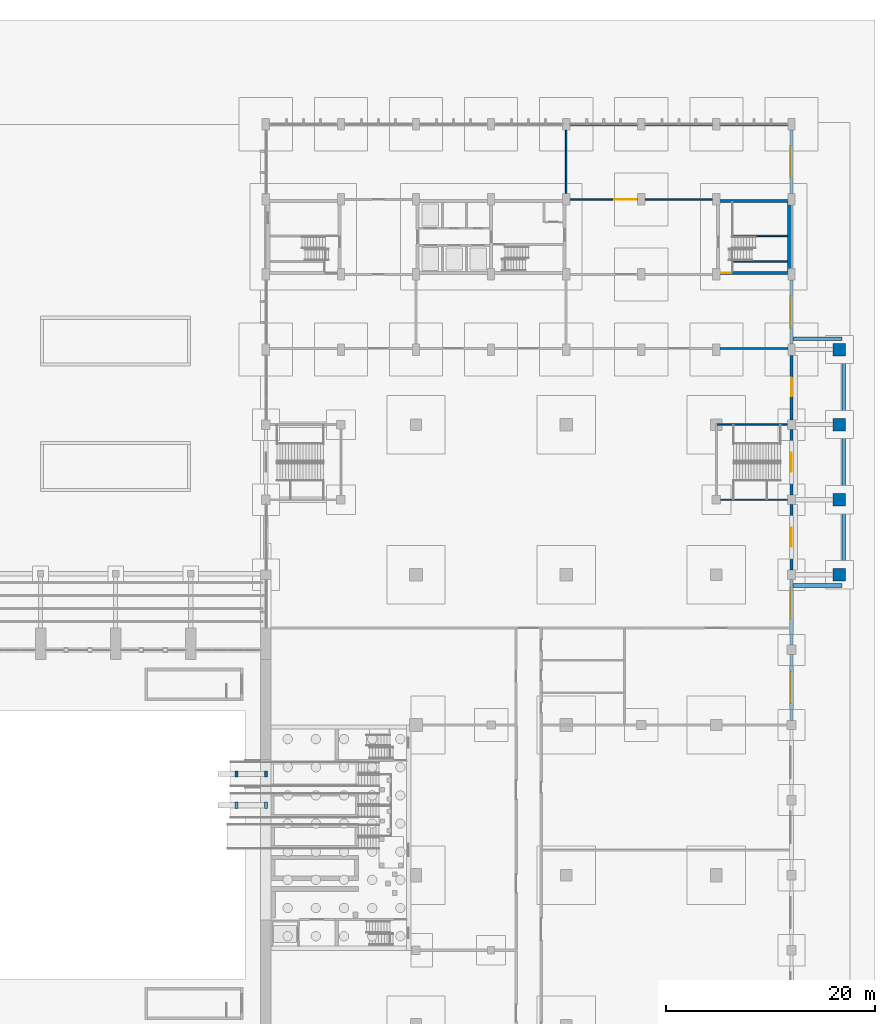
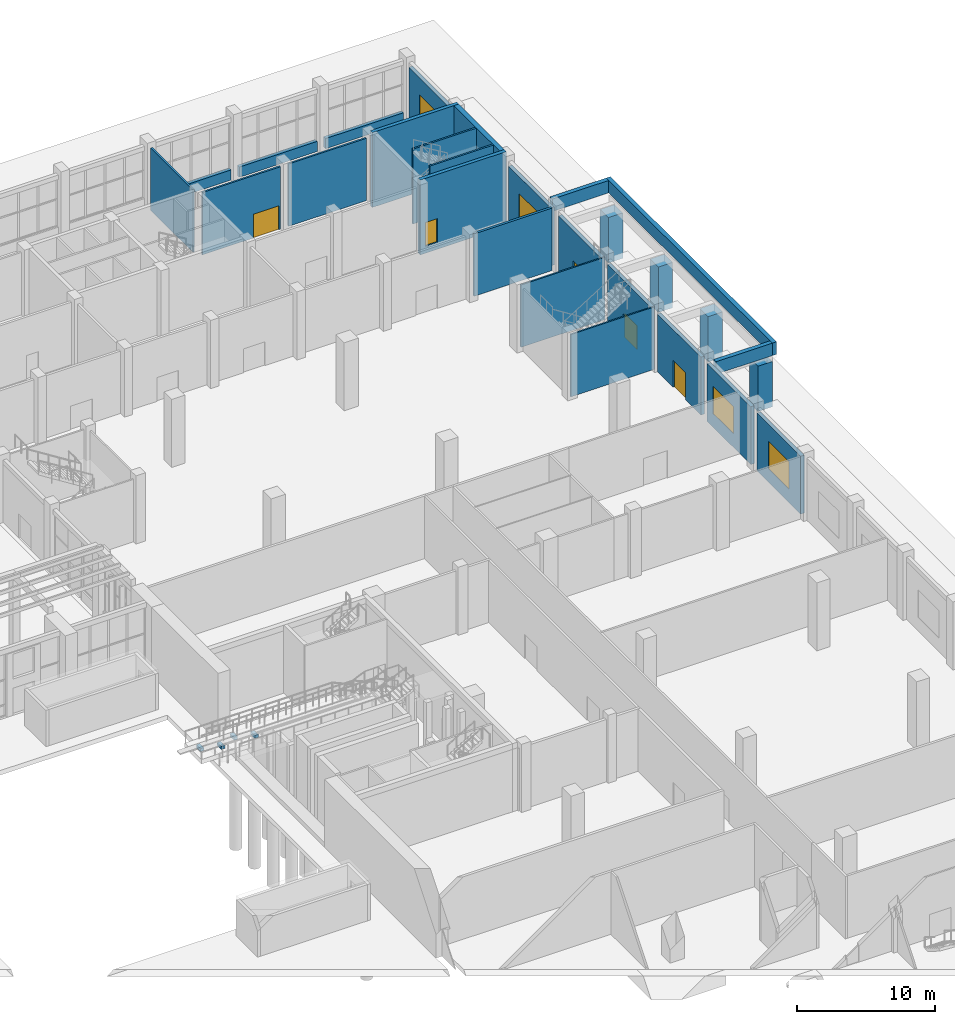
# One storey, part 53 of 70: 32 walls, 5 doors, 4 windows, 9 openings.
"""IFC4 building model written with IfcOpenShell, lengths in metres."""

from ifc_helpers import new_model, si_unit, direction, frame, frame_2d, origin, place, context, subcontext, project, spatial, rectangle, extrude, material, layer, layer_set, type_object, element, fill, save


model = new_model("IFC4")

# Units and contexts
model_context = context("Model", 3, precision=1e-05, world=origin(), true_north=direction((0.0, 1.0)))
body_context = subcontext(model_context, "Body", "Model", "MODEL_VIEW")
ifc_project = project(units=[si_unit("LENGTHUNIT", "METRE"), si_unit("AREAUNIT", "SQUARE_METRE"), si_unit("VOLUMEUNIT", "CUBIC_METRE"), si_unit("PLANEANGLEUNIT", "RADIAN"), si_unit("MASSUNIT", "GRAM", prefix="KILO")], contexts=[model_context])

# Site, building, storey
site_placement = place(None, origin())
site = spatial("IfcSite", under=ifc_project, at=site_placement, CompositionType="ELEMENT")
building_placement = place(site_placement, origin())
building = spatial("IfcBuilding", under=site, at=building_placement, Name="Vermilion Court Aquatics Centre", CompositionType="ELEMENT")
storey_placement = place(building_placement, origin())
storey = spatial("IfcBuildingStorey", under=building, at=storey_placement, Name="L00", CompositionType="ELEMENT", Elevation=0.0)

# Walls
ifc_material_1 = material(Name="Concrete 5000 psi", Category="concrete")
ifc_layer_1 = layer(ifc_material_1, 0.300048828125)
ifc_layer_set_1 = layer_set([ifc_layer_1], Name="Hall springboard stand 300")
wall_type_1 = type_object("IfcWallType", Name="Hall springboard stand 300", PredefinedType="SOLIDWALL", material=ifc_layer_set_1)
for number, where, z_axis, x_axis, name in (
    (1, (141.199951171875, 52.60009765625, 1.0), (0.0, 0.0, 1.0), (0.0, 1.0, 0.0), "Springboard stand"),
    (2, (144.0, 52.60009765625, 1.0), (0.0, 0.0, 1.0), (0.0, 1.0, 0.0), "Springboard stand"),
    (3, (141.199951171875, 49.60009765625, 3.0), (0.0, 0.0, 1.0), (0.0, 1.0, 0.0), "Springboard stand"),
    (4, (144.0, 49.60009765625, 3.0), (0.0, 0.0, 1.0), (0.0, 1.0, 0.0), "Springboard stand"),
):
    element("IfcWall", number, at=place(storey_placement, frame(where, z_axis=z_axis, x_axis=x_axis)), inside=storey, type_object=wall_type_1, Name=name, PredefinedType="SOLIDWALL", context=body_context, shape_type="SweptSolid", body=[
        extrude(rectangle(XDim=0.599853515625, YDim=0.300048828125, at=frame_2d((0.2998046875, 0.0))), origin(), (0.0, 0.0, 1.0), 0.25),
    ])
ifc_material_2 = material(Name="Concrete 8000 psi", Category="concrete")
ifc_layer_2 = layer(ifc_material_2, 0.39990234375)
ifc_layer_set_2 = layer_set([ifc_layer_2], Name="North block core brick-faced shear wall 400")
wall_type_2 = type_object("IfcWallType", Name="North block core brick-faced shear wall 400", PredefinedType="SHEAR", material=ifc_layer_set_2)
wall_1_placement = place(storey_placement, frame((194.199951171875, 101.10009765625, -0.60009765625), z_axis=(0.0, 0.0, 1.0), x_axis=(0.0, 1.0, 0.0)))
element("IfcWall", 5, at=wall_1_placement, inside=storey, type_object=wall_type_2, Name="Stair 2 shear wall outer L00", PredefinedType="SHEAR", context=body_context, shape_type="SweptSolid", body=[
    extrude(rectangle(XDim=6.599853515625, YDim=0.39990234375, at=frame_2d((3.2998046875, 0.0))), origin(), (0.0, 0.0, 1.0), 6.60009765625),
])

# Wall, opening, door
ifc_material_3 = material(Name="Concrete 8000 psi", Category="concrete")
ifc_layer_3 = layer(ifc_material_3, 0.300048828125)
ifc_layer_set_3 = layer_set([ifc_layer_3], Name="North block core shear wall 300")
wall_type_3 = type_object("IfcWallType", Name="North block core shear wall 300", PredefinedType="SHEAR", material=ifc_layer_set_3)
wall_2_placement = place(storey_placement, frame((194.39990234375, 100.949951171875, -0.60009765625), z_axis=(0.0, 0.0, 1.0), x_axis=(-1.0, 0.0, 0.0)))
wall_2 = element("IfcWall", 6, at=wall_2_placement, inside=storey, type_object=wall_type_3, Name="Stair 2 shear wall south L00", PredefinedType="SHEAR", context=body_context, shape_type="SweptSolid", body=[
    extrude(rectangle(XDim=7.199951171875, YDim=0.300048828125, at=frame_2d((3.60009765625, 0.0))), origin(), (0.0, 0.0, 1.0), 6.60009765625),
])
opening_1_placement = place(wall_2_placement, frame((5.75, 0.0, 0.60009765625)))
opening_1 = element("IfcOpeningElement", 7, at=opening_1_placement, cuts=wall_2, Name="Opening U00-011", PredefinedType="OPENING", context=body_context, shape_type="SweptSolid", body=[
    extrude(rectangle(XDim=1.0, YDim=2.10009765625, at=frame_2d((0.5, 1.050048828125))), frame((0.0, 0.159912109375, 0.0), z_axis=(0.0, -1.0, 0.0), x_axis=(1.0, 0.0, 0.0)), (0.0, 0.0, 1.0), 0.320068359375),
])
ifc_material_4 = material(Name="Hollow metal")
door_type_1 = type_object("IfcDoorType", Name="North block exit door FD90 1000x2100", OperationType="NOTDEFINED", PredefinedType="DOOR", material=ifc_material_4)
door_1_placement = place(opening_1_placement, origin())
door_1 = element("IfcDoor", 8, at=door_1_placement, inside=storey, type_object=door_type_1, Name="Stair 2 exit door", OperationType="SINGLE_SWING_RIGHT", OverallHeight=2.10009765625, OverallWidth=1.0, PredefinedType="DOOR", context=body_context, shape_type="SweptSolid", body=[
    extrude(rectangle(XDim=1.0, YDim=2.10009765625, at=frame_2d((0.5, 1.050048828125))), frame((0.0, 0.02490234375, 0.0), z_axis=(0.0, -1.0, 0.0), x_axis=(1.0, 0.0, 0.0)), (0.0, 0.0, 1.0), 0.050048828125),
])
fill(opening_1, door_1)

# Walls
wall_3_placement = place(storey_placement, frame((194.39990234375, 107.85009765625, -0.60009765625), z_axis=(0.0, 0.0, 1.0), x_axis=(-1.0, 0.0, 0.0)))
element("IfcWall", 9, at=wall_3_placement, inside=storey, type_object=wall_type_3, Name="Stair 2 shear wall north L00", PredefinedType="SHEAR", context=body_context, shape_type="SweptSolid", body=[
    extrude(rectangle(XDim=7.199951171875, YDim=0.300048828125, at=frame_2d((3.60009765625, 0.0))), origin(), (0.0, 0.0, 1.0), 6.60009765625),
])
ifc_material_5 = material(Name="Concrete 5000 psi", Category="concrete")
ifc_layer_4 = layer(ifc_material_5, 0.14990234375)
ifc_layer_set_4 = layer_set([ifc_layer_4], Name="North block stair lane wall 150")
wall_type_4 = type_object("IfcWallType", Name="North block stair lane wall 150", PredefinedType="SHEAR", material=ifc_layer_set_4)
for number, where, z_axis, x_axis, name in (
    (10, (188.699951171875, 102.054931640625, -0.60009765625), (0.0, 0.0, 1.0), (1.0, 0.0, 0.0), "Stair 2 lane wall south L00"),
    (11, (188.699951171875, 104.5048828125, -0.60009765625), (0.0, 0.0, 1.0), (1.0, 0.0, 0.0), "Stair 2 lane wall north L00"),
):
    element("IfcWall", number, at=place(storey_placement, frame(where, z_axis=z_axis, x_axis=x_axis)), inside=storey, type_object=wall_type_4, Name=name, PredefinedType="SHEAR", context=body_context, shape_type="SweptSolid", body=[
        extrude(rectangle(XDim=5.300048828125, YDim=0.14990234375, at=frame_2d((2.64990234375, 0.0))), origin(), (0.0, 0.0, 1.0), 6.60009765625),
    ])
ifc_material_6 = material(Name="Brick masonry", Category="masonry")
ifc_layer_5 = layer(ifc_material_6, 0.300048828125)
ifc_layer_set_5 = layer_set([ifc_layer_5], Name="Podium facade brick wall 300")
wall_type_5 = type_object("IfcWallType", Name="Podium facade brick wall 300", PredefinedType="SOLIDWALL", material=ifc_layer_set_5)
for number, where, z_axis, x_axis, name in (
    (12, (173.14990234375, 115.199951171875, 0.0), (0.0, 0.0, 1.0), (1.0, 0.0, 0.0), "Facade sill wall L00"),
    (13, (180.35009765625, 115.199951171875, 0.0), (0.0, 0.0, 1.0), (1.0, 0.0, 0.0), "Facade sill wall L00"),
    (14, (187.550048828125, 115.199951171875, 0.0), (0.0, 0.0, 1.0), (1.0, 0.0, 0.0), "Facade sill wall L00"),
):
    element("IfcWall", number, at=place(storey_placement, frame(where, z_axis=z_axis, x_axis=x_axis)), inside=storey, type_object=wall_type_5, Name=name, PredefinedType="SOLIDWALL", context=body_context, shape_type="SweptSolid", body=[
        extrude(rectangle(XDim=6.5, YDim=0.300048828125, at=frame_2d((3.25, 0.0))), origin(), (0.0, 0.0, 1.0), 0.89990234375),
    ])

# Wall, opening, window
wall_4_placement = place(storey_placement, frame((194.39990234375, 58.050048828125, 0.0), z_axis=(0.0, 0.0, 1.0), x_axis=(0.0, 1.0, 0.0)))
wall_4 = element("IfcWall", 15, at=wall_4_placement, inside=storey, type_object=wall_type_5, Name="Facade wall L00", PredefinedType="SOLIDWALL", context=body_context, shape_type="SweptSolid", body=[
    extrude(rectangle(XDim=6.300048828125, YDim=0.300048828125, at=frame_2d((3.14990234375, 0.0))), origin(), (0.0, 0.0, 1.0), 5.10009765625),
])
opening_2_placement = place(wall_4_placement, frame((1.64990234375, 0.0, 1.199951171875)))
opening_2 = element("IfcOpeningElement", 16, at=opening_2_placement, cuts=wall_4, Name="Opening PN1", PredefinedType="OPENING", context=body_context, shape_type="SweptSolid", body=[
    extrude(rectangle(XDim=3.0, YDim=2.39990234375, at=frame_2d((1.5, 1.199951171875))), frame((0.0, 0.159912109375, 0.0), z_axis=(0.0, -1.0, 0.0), x_axis=(1.0, 0.0, 0.0)), (0.0, 0.0, 1.0), 0.320068359375),
])
ifc_material_7 = material(Name="Aluminium 6063-T5", Category="aluminium")
window_type = type_object("IfcWindowType", Name="Podium window 3000x2400", PartitioningType="DOUBLE_PANEL_VERTICAL", PredefinedType="WINDOW", material=ifc_material_7)
window_1_placement = place(opening_2_placement, origin())
window_1 = element("IfcWindow", 17, at=window_1_placement, inside=storey, type_object=window_type, Name="Window L00", OverallHeight=2.39990234375, OverallWidth=3.0, PartitioningType="DOUBLE_PANEL_VERTICAL", PredefinedType="WINDOW", context=body_context, shape_type="SweptSolid", body=[
    extrude(rectangle(XDim=3.0, YDim=2.39990234375, at=frame_2d((1.5, 1.199951171875))), frame((0.0, 0.1201171875, 0.0), z_axis=(0.0, -1.0, 0.0), x_axis=(1.0, 0.0, 0.0)), (0.0, 0.0, 1.0), 0.06005859375),
])
fill(opening_2, window_1)

wall_5_placement = place(storey_placement, frame((194.39990234375, 65.25, 0.0), z_axis=(0.0, 0.0, 1.0), x_axis=(0.0, 1.0, 0.0)))
wall_5 = element("IfcWall", 18, at=wall_5_placement, inside=storey, type_object=wall_type_5, Name="Facade wall L00", PredefinedType="SOLIDWALL", context=body_context, shape_type="SweptSolid", body=[
    extrude(rectangle(XDim=6.300048828125, YDim=0.300048828125, at=frame_2d((3.14990234375, 0.0))), origin(), (0.0, 0.0, 1.0), 5.10009765625),
])
opening_3_placement = place(wall_5_placement, frame((2.47509765625, 0.0, 1.199951171875)))
opening_3 = element("IfcOpeningElement", 19, at=opening_3_placement, cuts=wall_5, Name="Opening PN1", PredefinedType="OPENING", context=body_context, shape_type="SweptSolid", body=[
    extrude(rectangle(XDim=3.0, YDim=2.39990234375, at=frame_2d((1.5, 1.199951171875))), frame((0.0, 0.159912109375, 0.0), z_axis=(0.0, -1.0, 0.0), x_axis=(1.0, 0.0, 0.0)), (0.0, 0.0, 1.0), 0.320068359375),
])
window_2_placement = place(opening_3_placement, origin())
window_2 = element("IfcWindow", 20, at=window_2_placement, inside=storey, type_object=window_type, Name="Window L00", OverallHeight=2.39990234375, OverallWidth=3.0, PartitioningType="DOUBLE_PANEL_VERTICAL", PredefinedType="WINDOW", context=body_context, shape_type="SweptSolid", body=[
    extrude(rectangle(XDim=3.0, YDim=2.39990234375, at=frame_2d((1.5, 1.199951171875))), frame((0.0, 0.1201171875, 0.0), z_axis=(0.0, -1.0, 0.0), x_axis=(1.0, 0.0, 0.0)), (0.0, 0.0, 1.0), 0.06005859375),
])
fill(opening_3, window_2)

# Wall, opening, door
wall_6_placement = place(storey_placement, frame((194.39990234375, 72.449951171875, 0.0), z_axis=(0.0, 0.0, 1.0), x_axis=(0.0, 1.0, 0.0)))
wall_6 = element("IfcWall", 21, at=wall_6_placement, inside=storey, type_object=wall_type_5, Name="Facade wall L00", PredefinedType="SOLIDWALL", context=body_context, shape_type="SweptSolid", body=[
    extrude(rectangle(XDim=6.300048828125, YDim=0.300048828125, at=frame_2d((3.14990234375, 0.0))), origin(), (0.0, 0.0, 1.0), 5.10009765625),
])
opening_4_placement = place(wall_6_placement, frame((2.25, 0.0, 0.0)))
opening_4 = element("IfcOpeningElement", 22, at=opening_4_placement, cuts=wall_6, Name="Opening WX7", PredefinedType="OPENING", context=body_context, shape_type="SweptSolid", body=[
    extrude(rectangle(XDim=1.800048828125, YDim=2.39990234375, at=frame_2d((0.89990234375, 1.199951171875))), frame((0.0, 0.159912109375, 0.0), z_axis=(0.0, -1.0, 0.0), x_axis=(1.0, 0.0, 0.0)), (0.0, 0.0, 1.0), 0.320068359375),
])
ifc_material_8 = material(Name="Aluminium 6063-T5", Category="aluminium")
door_type_2 = type_object("IfcDoorType", Name="Podium entrance door pair 1800x2400", OperationType="DOUBLE_DOOR_SINGLE_SWING", PredefinedType="DOOR", material=ifc_material_8)
door_2_placement = place(opening_4_placement, frame((1.800048828125, 0.0, 0.0), z_axis=(0.0, 0.0, 1.0), x_axis=(-1.0, 0.0, 0.0)))
door_2 = element("IfcDoor", 23, at=door_2_placement, inside=storey, type_object=door_type_2, Name="Exit door WX7", OperationType="DOUBLE_DOOR_SINGLE_SWING", OverallHeight=2.39990234375, OverallWidth=1.800048828125, PredefinedType="DOOR", context=body_context, shape_type="SweptSolid", body=[
    extrude(rectangle(XDim=1.800048828125, YDim=2.39990234375, at=frame_2d((0.900146484375, 1.199951171875))), frame((0.0, 0.025146484375, 0.0), z_axis=(0.0, -1.0, 0.0), x_axis=(1.0, 0.0, 0.0)), (0.0, 0.0, 1.0), 0.050048828125),
])
fill(opening_4, door_2)

wall_7_placement = place(storey_placement, frame((194.39990234375, 79.64990234375, 0.0), z_axis=(0.0, 0.0, 1.0), x_axis=(0.0, 1.0, 0.0)))
wall_7 = element("IfcWall", 24, at=wall_7_placement, inside=storey, type_object=wall_type_5, Name="Facade wall L00", PredefinedType="SOLIDWALL", context=body_context, shape_type="SweptSolid", body=[
    extrude(rectangle(XDim=6.300048828125, YDim=0.300048828125, at=frame_2d((3.14990234375, 0.0))), origin(), (0.0, 0.0, 1.0), 5.10009765625),
])
opening_5_placement = place(wall_7_placement, frame((2.25, 0.0, 0.0)))
opening_5 = element("IfcOpeningElement", 25, at=opening_5_placement, cuts=wall_7, Name="Opening WX3", PredefinedType="OPENING", context=body_context, shape_type="SweptSolid", body=[
    extrude(rectangle(XDim=1.800048828125, YDim=2.10009765625, at=frame_2d((0.89990234375, 1.050048828125))), frame((0.0, 0.159912109375, 0.0), z_axis=(0.0, -1.0, 0.0), x_axis=(1.0, 0.0, 0.0)), (0.0, 0.0, 1.0), 0.320068359375),
])
ifc_material_9 = material(Name="Hollow metal")
door_type_3 = type_object("IfcDoorType", Name="Podium exit door pair 1800x2100", OperationType="DOUBLE_DOOR_SINGLE_SWING", PredefinedType="DOOR", material=ifc_material_9)
door_3_placement = place(opening_5_placement, frame((1.800048828125, 0.0, 0.0), z_axis=(0.0, 0.0, 1.0), x_axis=(-1.0, 0.0, 0.0)))
door_3 = element("IfcDoor", 26, at=door_3_placement, inside=storey, type_object=door_type_3, Name="Exit door WX3", OperationType="DOUBLE_DOOR_SINGLE_SWING", OverallHeight=2.10009765625, OverallWidth=1.800048828125, PredefinedType="DOOR", context=body_context, shape_type="SweptSolid", body=[
    extrude(rectangle(XDim=1.800048828125, YDim=2.10009765625, at=frame_2d((0.900146484375, 1.050048828125))), frame((0.0, 0.025146484375, 0.0), z_axis=(0.0, -1.0, 0.0), x_axis=(1.0, 0.0, 0.0)), (0.0, 0.0, 1.0), 0.050048828125),
])
fill(opening_5, door_3)

wall_8_placement = place(storey_placement, frame((194.39990234375, 86.85009765625, 0.0), z_axis=(0.0, 0.0, 1.0), x_axis=(0.0, 1.0, 0.0)))
wall_8 = element("IfcWall", 27, at=wall_8_placement, inside=storey, type_object=wall_type_5, Name="Facade wall L00", PredefinedType="SOLIDWALL", context=body_context, shape_type="SweptSolid", body=[
    extrude(rectangle(XDim=6.199951171875, YDim=0.300048828125, at=frame_2d((3.10009765625, 0.0))), origin(), (0.0, 0.0, 1.0), 5.10009765625),
])
opening_6_placement = place(wall_8_placement, frame((2.25, 0.0, 0.0)))
opening_6 = element("IfcOpeningElement", 28, at=opening_6_placement, cuts=wall_8, Name="Opening WX8", PredefinedType="OPENING", context=body_context, shape_type="SweptSolid", body=[
    extrude(rectangle(XDim=1.800048828125, YDim=2.39990234375, at=frame_2d((0.89990234375, 1.199951171875))), frame((0.0, 0.159912109375, 0.0), z_axis=(0.0, -1.0, 0.0), x_axis=(1.0, 0.0, 0.0)), (0.0, 0.0, 1.0), 0.320068359375),
])
door_4_placement = place(opening_6_placement, frame((1.800048828125, 0.0, 0.0), z_axis=(0.0, 0.0, 1.0), x_axis=(-1.0, 0.0, 0.0)))
door_4 = element("IfcDoor", 29, at=door_4_placement, inside=storey, type_object=door_type_2, Name="Exit door WX8", OperationType="DOUBLE_DOOR_SINGLE_SWING", OverallHeight=2.39990234375, OverallWidth=1.800048828125, PredefinedType="DOOR", context=body_context, shape_type="SweptSolid", body=[
    extrude(rectangle(XDim=1.800048828125, YDim=2.39990234375, at=frame_2d((0.900146484375, 1.199951171875))), frame((0.0, 0.025146484375, 0.0), z_axis=(0.0, -1.0, 0.0), x_axis=(1.0, 0.0, 0.0)), (0.0, 0.0, 1.0), 0.050048828125),
])
fill(opening_6, door_4)

# Wall, opening, window
wall_9_placement = place(storey_placement, frame((194.39990234375, 94.14990234375, 0.0), z_axis=(0.0, 0.0, 1.0), x_axis=(0.0, 1.0, 0.0)))
wall_9 = element("IfcWall", 30, at=wall_9_placement, inside=storey, type_object=wall_type_5, Name="Facade wall L00", PredefinedType="SOLIDWALL", context=body_context, shape_type="SweptSolid", body=[
    extrude(rectangle(XDim=6.10009765625, YDim=0.300048828125, at=frame_2d((3.050048828125, 0.0))), origin(), (0.0, 0.0, 1.0), 5.10009765625),
])
opening_7_placement = place(wall_9_placement, frame((1.550048828125, 0.0, 1.199951171875)))
opening_7 = element("IfcOpeningElement", 31, at=opening_7_placement, cuts=wall_9, Name="Opening PN1", PredefinedType="OPENING", context=body_context, shape_type="SweptSolid", body=[
    extrude(rectangle(XDim=3.0, YDim=2.39990234375, at=frame_2d((1.5, 1.199951171875))), frame((0.0, 0.159912109375, 0.0), z_axis=(0.0, -1.0, 0.0), x_axis=(1.0, 0.0, 0.0)), (0.0, 0.0, 1.0), 0.320068359375),
])
window_3_placement = place(opening_7_placement, origin())
window_3 = element("IfcWindow", 32, at=window_3_placement, inside=storey, type_object=window_type, Name="Window L00", OverallHeight=2.39990234375, OverallWidth=3.0, PartitioningType="DOUBLE_PANEL_VERTICAL", PredefinedType="WINDOW", context=body_context, shape_type="SweptSolid", body=[
    extrude(rectangle(XDim=3.0, YDim=2.39990234375, at=frame_2d((1.5, 1.199951171875))), frame((0.0, 0.1201171875, 0.0), z_axis=(0.0, -1.0, 0.0), x_axis=(1.0, 0.0, 0.0)), (0.0, 0.0, 1.0), 0.06005859375),
])
fill(opening_7, window_3)

wall_10_placement = place(storey_placement, frame((194.39990234375, 108.550048828125, 0.0), z_axis=(0.0, 0.0, 1.0), x_axis=(0.0, 1.0, 0.0)))
wall_10 = element("IfcWall", 33, at=wall_10_placement, inside=storey, type_object=wall_type_5, Name="Facade wall L00", PredefinedType="SOLIDWALL", context=body_context, shape_type="SweptSolid", body=[
    extrude(rectangle(XDim=6.099853515625, YDim=0.300048828125, at=frame_2d((3.0498046875, 0.0))), origin(), (0.0, 0.0, 1.0), 5.10009765625),
])
opening_8_placement = place(wall_10_placement, frame((1.550048828125, 0.0, 1.199951171875)))
opening_8 = element("IfcOpeningElement", 34, at=opening_8_placement, cuts=wall_10, Name="Opening PN1", PredefinedType="OPENING", context=body_context, shape_type="SweptSolid", body=[
    extrude(rectangle(XDim=3.0, YDim=2.39990234375, at=frame_2d((1.5, 1.199951171875))), frame((0.0, 0.159912109375, 0.0), z_axis=(0.0, -1.0, 0.0), x_axis=(1.0, 0.0, 0.0)), (0.0, 0.0, 1.0), 0.320068359375),
])
window_4_placement = place(opening_8_placement, origin())
window_4 = element("IfcWindow", 35, at=window_4_placement, inside=storey, type_object=window_type, Name="Window L00", OverallHeight=2.39990234375, OverallWidth=3.0, PartitioningType="DOUBLE_PANEL_VERTICAL", PredefinedType="WINDOW", context=body_context, shape_type="SweptSolid", body=[
    extrude(rectangle(XDim=3.0, YDim=2.39990234375, at=frame_2d((1.5, 1.199951171875))), frame((0.0, 0.1201171875, 0.0), z_axis=(0.0, -1.0, 0.0), x_axis=(1.0, 0.0, 0.0)), (0.0, 0.0, 1.0), 0.06005859375),
])
fill(opening_8, window_4)

# Walls
ifc_material_10 = material(Name="Concrete masonry ASTM C90 Type I", Category="masonry")
ifc_layer_6 = layer(ifc_material_10, 0.199951171875)
ifc_layer_set_6 = layer_set([ifc_layer_6], Name="Podium fire-rated partition 200, 1 hr")
wall_type_6 = type_object("IfcWallType", Name="Podium fire-rated partition 200, 1 hr", PredefinedType="PARTITIONING", material=ifc_layer_set_6)
wall_11_placement = place(storey_placement, frame((187.550048828125, 93.699951171875, 0.0), z_axis=(0.0, 0.0, 1.0), x_axis=(1.0, 0.0, 0.0)))
element("IfcWall", 36, at=wall_11_placement, inside=storey, type_object=wall_type_6, Name="Fire-rated partition", PredefinedType="PARTITIONING", context=body_context, shape_type="SweptSolid", body=[
    extrude(rectangle(XDim=6.5, YDim=0.199951171875, at=frame_2d((3.25, 0.0))), origin(), (0.0, 0.0, 1.0), 5.5),
])
ifc_material_11 = material(Name="Gypsum board")
ifc_layer_7 = layer(ifc_material_11, 0.14990234375)
ifc_layer_set_7 = layer_set([ifc_layer_7], Name="Podium partition wall 150")
wall_type_7 = type_object("IfcWallType", Name="Podium partition wall 150", PredefinedType="PARTITIONING", material=ifc_layer_set_7)
wall_12_placement = place(storey_placement, frame((172.800048828125, 108.550048828125, 0.0), z_axis=(0.0, 0.0, 1.0), x_axis=(0.0, 1.0, 0.0)))
element("IfcWall", 37, at=wall_12_placement, inside=storey, type_object=wall_type_7, Name="Partition", PredefinedType="PARTITIONING", context=body_context, shape_type="SweptSolid", body=[
    extrude(rectangle(XDim=6.099853515625, YDim=0.14990234375, at=frame_2d((3.0498046875, 0.0))), origin(), (0.0, 0.0, 1.0), 5.5),
])

# Wall, opening, door
wall_13_placement = place(storey_placement, frame((173.14990234375, 108.0, 0.0), z_axis=(0.0, 0.0, 1.0), x_axis=(1.0, 0.0, 0.0)))
wall_13 = element("IfcWall", 38, at=wall_13_placement, inside=storey, type_object=wall_type_7, Name="Partition", PredefinedType="PARTITIONING", context=body_context, shape_type="SweptSolid", body=[
    extrude(rectangle(XDim=6.5, YDim=0.14990234375, at=frame_2d((3.25, 0.0))), origin(), (0.0, 0.0, 1.0), 5.5),
])
opening_9_placement = place(wall_13_placement, frame((4.27880859375, 0.0, 0.0)))
opening_9 = element("IfcOpeningElement", 39, at=opening_9_placement, cuts=wall_13, Name="Opening P00-028", PredefinedType="OPENING", context=body_context, shape_type="SweptSolid", body=[
    extrude(rectangle(XDim=2.10009765625, YDim=2.10009765625, at=frame_2d((1.050048828125, 1.050048828125))), frame((0.0, 0.0849609375, 0.0), z_axis=(0.0, -1.0, 0.0), x_axis=(1.0, 0.0, 0.0)), (0.0, 0.0, 1.0), 0.169921875),
])
ifc_material_12 = material(Name="Timber door leaf", Category="wood")
door_type_4 = type_object("IfcDoorType", Name="Podium door cafe pair 2100x2100", OperationType="DOUBLE_DOOR_SINGLE_SWING", PredefinedType="DOOR", material=ifc_material_12)
door_5_placement = place(opening_9_placement, frame((2.10009765625, 0.0, 0.0), z_axis=(0.0, 0.0, 1.0), x_axis=(-1.0, 0.0, 0.0)))
door_5 = element("IfcDoor", 40, at=door_5_placement, inside=storey, type_object=door_type_4, Name="Door", OperationType="DOUBLE_DOOR_SINGLE_SWING", OverallHeight=2.10009765625, OverallWidth=2.10009765625, PredefinedType="DOOR", context=body_context, shape_type="SweptSolid", body=[
    extrude(rectangle(XDim=2.10009765625, YDim=2.10009765625, at=frame_2d((1.050048828125, 1.050048828125))), frame((0.0, 0.025146484375, 0.0), z_axis=(0.0, -1.0, 0.0), x_axis=(1.0, 0.0, 0.0)), (0.0, 0.0, 1.0), 0.050048828125),
])
fill(opening_9, door_5)

# Walls
wall_14_placement = place(storey_placement, frame((180.35009765625, 108.0, 0.0), z_axis=(0.0, 0.0, 1.0), x_axis=(1.0, 0.0, 0.0)))
element("IfcWall", 41, at=wall_14_placement, inside=storey, type_object=wall_type_7, Name="Partition", PredefinedType="PARTITIONING", context=body_context, shape_type="SweptSolid", body=[
    extrude(rectangle(XDim=6.5, YDim=0.14990234375, at=frame_2d((3.25, 0.0))), origin(), (0.0, 0.0, 1.0), 5.5),
])
ifc_material_13 = material(Name="Brick masonry", Category="masonry")
ifc_layer_8 = layer(ifc_material_13, 0.35009765625)
ifc_layer_set_8 = layer_set([ifc_layer_8], Name="Podium portico parapet 350")
wall_type_8 = type_object("IfcWallType", Name="Podium portico parapet 350", PredefinedType="PARAPET", material=ifc_layer_set_8)
wall_15_placement = place(storey_placement, frame((199.425048828125, 70.800048828125, 4.5), z_axis=(0.0, 0.0, 1.0), x_axis=(0.0, 1.0, 0.0)))
element("IfcWall", 42, at=wall_15_placement, inside=storey, type_object=wall_type_8, Name="Portico parapet", PredefinedType="PARAPET", context=body_context, shape_type="SweptSolid", body=[
    extrude(rectangle(XDim=24.0, YDim=0.35009765625, at=frame_2d((12.0, 0.0))), origin(), (0.0, 0.0, 1.0), 1.10009765625),
])
for number, where, z_axis, x_axis, name in (
    (43, (194.550048828125, 70.97509765625, 4.5), (0.0, 0.0, 1.0), (1.0, 0.0, 0.0), "Portico parapet"),
    (44, (194.550048828125, 94.625, 4.5), (0.0, 0.0, 1.0), (1.0, 0.0, 0.0), "Portico parapet"),
):
    element("IfcWall", number, at=place(storey_placement, frame(where, z_axis=z_axis, x_axis=x_axis)), inside=storey, type_object=wall_type_8, Name=name, PredefinedType="PARAPET", context=body_context, shape_type="SweptSolid", body=[
        extrude(rectangle(XDim=4.699951171875, YDim=0.35009765625, at=frame_2d((2.35009765625, 0.0))), origin(), (0.0, 0.0, 1.0), 1.10009765625),
    ])
ifc_material_14 = material(Name="Brick masonry", Category="masonry")
ifc_layer_9 = layer(ifc_material_14, 1.199951171875)
ifc_layer_set_9 = layer_set([ifc_layer_9], Name="Podium portico pier 1200")
wall_type_9 = type_object("IfcWallType", Name="Podium portico pier 1200", PredefinedType="SOLIDWALL", material=ifc_layer_set_9)
for number, where, z_axis, x_axis, name in (
    (45, (198.39990234375, 72.0, -0.5), (0.0, 0.0, 1.0), (1.0, 0.0, 0.0), "Portico pier"),
    (46, (198.39990234375, 79.199951171875, -0.5), (0.0, 0.0, 1.0), (1.0, 0.0, 0.0), "Portico pier"),
    (47, (198.39990234375, 86.39990234375, -0.5), (0.0, 0.0, 1.0), (1.0, 0.0, 0.0), "Portico pier"),
    (48, (198.39990234375, 93.60009765625, -0.5), (0.0, 0.0, 1.0), (1.0, 0.0, 0.0), "Portico pier"),
):
    element("IfcWall", number, at=place(storey_placement, frame(where, z_axis=z_axis, x_axis=x_axis)), inside=storey, type_object=wall_type_9, Name=name, PredefinedType="SOLIDWALL", context=body_context, shape_type="SweptSolid", body=[
        extrude(rectangle(XDim=1.2001953125, YDim=1.199951171875, at=frame_2d((0.60009765625, 0.0))), origin(), (0.0, 0.0, 1.0), 4.0),
    ])
ifc_material_15 = material(Name="Concrete 5000 psi", Category="concrete")
ifc_layer_10 = layer(ifc_material_15, 0.125)
ifc_layer_set_10 = layer_set([ifc_layer_10], Name="Podium stair enclosure wall 125, 2 hr")
wall_type_10 = type_object("IfcWallType", Name="Podium stair enclosure wall 125, 2 hr", PredefinedType="SOLIDWALL", material=ifc_layer_set_10)
for number, where, z_axis, x_axis, name in (
    (49, (187.262451171875, 79.199951171875, 0.0), (0.0, 0.0, 1.0), (1.0, 0.0, 0.0), "Stair enclosure wall"),
    (50, (187.262451171875, 86.39990234375, 0.0), (0.0, 0.0, 1.0), (1.0, 0.0, 0.0), "Stair enclosure wall"),
):
    element("IfcWall", number, at=place(storey_placement, frame(where, z_axis=z_axis, x_axis=x_axis)), inside=storey, type_object=wall_type_10, Name=name, PredefinedType="SOLIDWALL", context=body_context, shape_type="SweptSolid", body=[
        extrude(rectangle(XDim=6.987548828125, YDim=0.125, at=frame_2d((3.49365234375, 0.0))), origin(), (0.0, 0.0, 1.0), 5.5),
    ])

save(model, "model.ifc")
